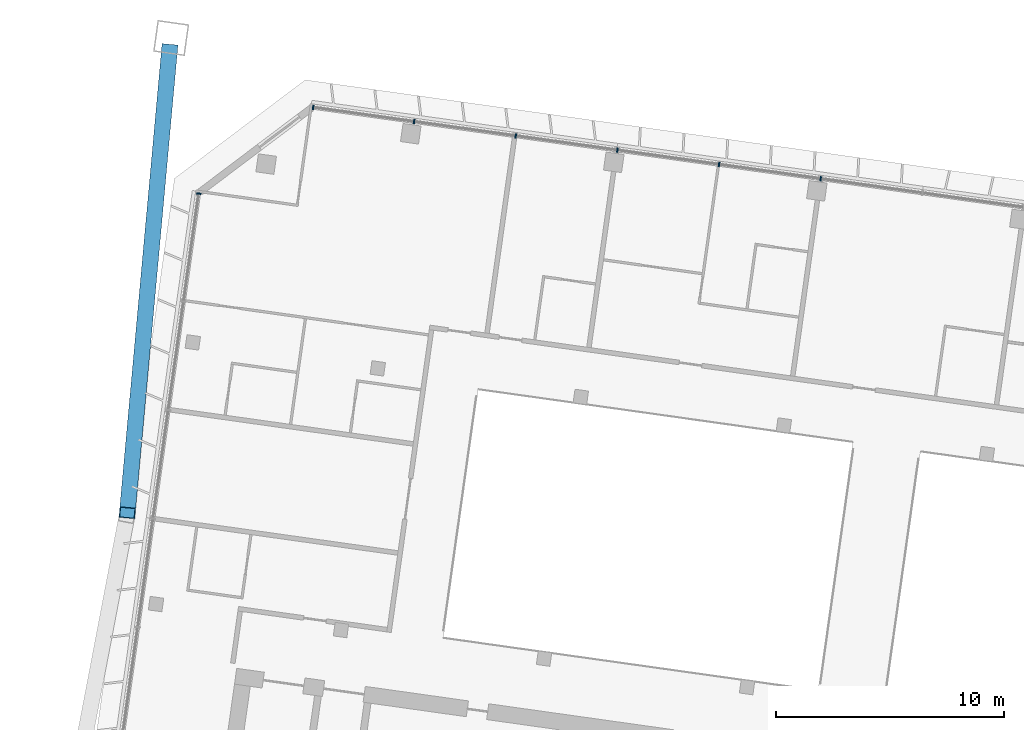
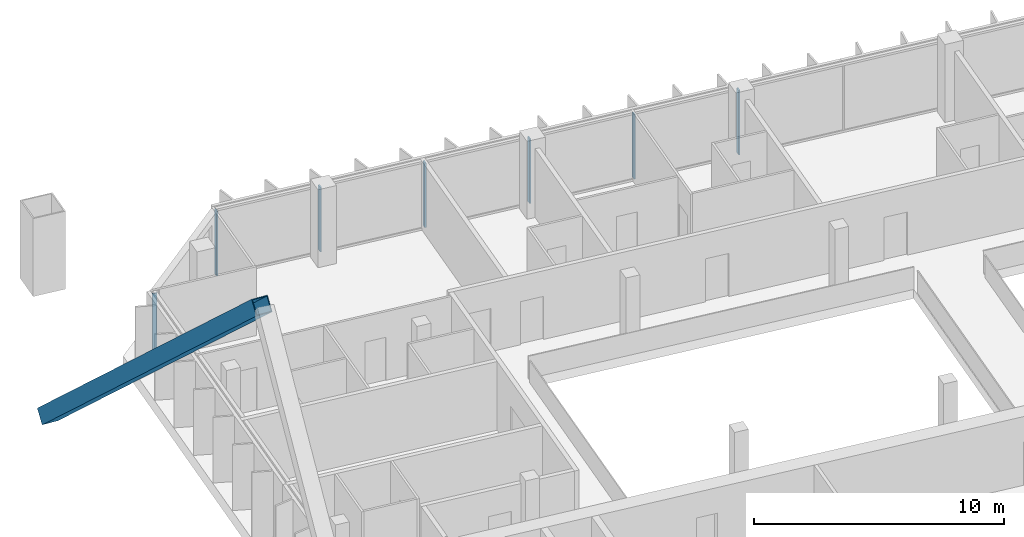
# One storey, part 3 of 28: 8 members, 2 elements without a shape of their own.
"""IFC4 building model written with IfcOpenShell, lengths in metres."""

from ifc_helpers import new_model, si_unit, direction, frame, origin, origin_2d, place, context, subcontext, project, spatial, rectangle, hollow_rectangle, extrude, material, material_profile, profile_set, type_object, element, aggregate, save


model = new_model("IFC4")

# Units and contexts
model_context = context("Model", 3, precision=1e-05, world=origin(), true_north=direction((0.0, 1.0)))
body_context = subcontext(model_context, "Body", "Model", "MODEL_VIEW")
ifc_project = project(units=[si_unit("LENGTHUNIT", "METRE"), si_unit("AREAUNIT", "SQUARE_METRE"), si_unit("VOLUMEUNIT", "CUBIC_METRE"), si_unit("PLANEANGLEUNIT", "RADIAN"), si_unit("MASSUNIT", "GRAM", prefix="KILO")], contexts=[model_context])

# Site, building, storey
site_placement = place(None, origin())
site = spatial("IfcSite", under=ifc_project, at=site_placement, CompositionType="ELEMENT")
building_placement = place(site_placement, origin())
building = spatial("IfcBuilding", under=site, at=building_placement, Name="Mirante Cascada Hotel Towers", CompositionType="ELEMENT")
storey_placement = place(building_placement, frame((0.0, 0.0, 165.0)))
storey = spatial("IfcBuildingStorey", under=building, at=storey_placement, Name="L38", CompositionType="ELEMENT", Elevation=165.0)

# Member
ifc_material_1 = material(Name="Steel ASTM A572 Gr 50", Category="steel")
ifc_material_profile_1 = material_profile(ifc_material_1, hollow_rectangle(XDim=0.7, YDim=0.7, WallThickness=0.035, at=origin_2d()), Name="Box brace 700x700x35 ASTM A572 Gr 50")
ifc_profile_set_1 = profile_set([ifc_material_profile_1], Name="Steel ASTM A572 Gr 50")
member_type_1 = type_object("IfcMemberType", Name="Box brace 700x700x35 ASTM A572 Gr 50", PredefinedType="BRACE", material=ifc_profile_set_1)
member_1_placement = place(storey_placement, frame((-91.5166, 27.3306, -6.0447), z_axis=(-0.0676245, -0.7418038, 0.6671987), x_axis=(0.9958704, -0.0907857, 0.0)))
element("IfcMember", 1, at=member_1_placement, inside=storey, type_object=member_type_1, Name="brace T1 L38 2", PredefinedType="BRACE", context=body_context, shape_type="SweptSolid", body=[
    extrude(hollow_rectangle(XDim=0.7, YDim=0.7, WallThickness=0.035, at=origin_2d()), origin(), (0.0, 0.0, 1.0), 27.4043),
])

# Curtain wall, members
ifc_material_2 = material(Name="Aluminium mullion and transom frame with clear laminated glass", Category="aluminium")
curtain_wall_type_1 = type_object("IfcCurtainWallType", Name="Ribbon curtain wall ECW1", PredefinedType="NOTDEFINED", material=ifc_material_2)
curtain_wall_1_placement = place(storey_placement, origin())
curtain_wall_1 = element("IfcCurtainWall", 2, at=curtain_wall_1_placement, inside=storey, type_object=curtain_wall_type_1, Name="Front ribbon wall T1 L38", PredefinedType="NOTDEFINED")
ifc_material_3 = material(Name="Anodised aluminium extrusion", Category="aluminium")
ifc_material_profile_2 = material_profile(ifc_material_3, rectangle(XDim=0.2, YDim=0.065, at=origin_2d()), Name="ECW1 MULLION 65x200")
ifc_profile_set_2 = profile_set([ifc_material_profile_2], Name="Anodised aluminium extrusion")
member_type_2 = type_object("IfcMemberType", Name="ECW1 mullion 65x200", PredefinedType="MULLION", material=ifc_profile_set_2)
member_2_placement = place(storey_placement, frame((-85.2136, 24.795, 0.1), z_axis=(0.0, 0.0, 1.0), x_axis=(0.1391731, 0.9902681, 0.0)))
member_2 = element("IfcMember", 3, at=member_2_placement, type_object=member_type_2, Name="ECW1 mullion 1", PredefinedType="MULLION", context=body_context, shape_type="SweptSolid", body=[
    extrude(rectangle(XDim=0.2, YDim=0.065, at=origin_2d()), origin(), (0.0, 0.0, 1.0), 3.15),
])
member_3_placement = place(storey_placement, frame((-80.7831, 24.1723, 0.1), z_axis=(0.0, 0.0, 1.0), x_axis=(0.1391731, 0.9902681, 0.0)))
member_3 = element("IfcMember", 4, at=member_3_placement, type_object=member_type_2, Name="ECW1 mullion 2", PredefinedType="MULLION", context=body_context, shape_type="SweptSolid", body=[
    extrude(rectangle(XDim=0.2, YDim=0.065, at=origin_2d()), origin(), (0.0, 0.0, 1.0), 3.15),
])
member_4_placement = place(storey_placement, frame((-76.3204, 23.5452, 0.1), z_axis=(0.0, 0.0, 1.0), x_axis=(0.1391731, 0.9902681, 0.0)))
member_4 = element("IfcMember", 5, at=member_4_placement, type_object=member_type_2, Name="ECW1 mullion 3", PredefinedType="MULLION", context=body_context, shape_type="SweptSolid", body=[
    extrude(rectangle(XDim=0.2, YDim=0.065, at=origin_2d()), origin(), (0.0, 0.0, 1.0), 3.15),
])
member_5_placement = place(storey_placement, frame((-71.8577, 22.918, 0.1), z_axis=(0.0, 0.0, 1.0), x_axis=(0.1391731, 0.9902681, 0.0)))
member_5 = element("IfcMember", 6, at=member_5_placement, type_object=member_type_2, Name="ECW1 mullion 4", PredefinedType="MULLION", context=body_context, shape_type="SweptSolid", body=[
    extrude(rectangle(XDim=0.2, YDim=0.065, at=origin_2d()), origin(), (0.0, 0.0, 1.0), 3.15),
])
member_6_placement = place(storey_placement, frame((-67.395, 22.2908, 0.1), z_axis=(0.0, 0.0, 1.0), x_axis=(0.1391731, 0.9902681, 0.0)))
member_6 = element("IfcMember", 7, at=member_6_placement, type_object=member_type_2, Name="ECW1 mullion 5", PredefinedType="MULLION", context=body_context, shape_type="SweptSolid", body=[
    extrude(rectangle(XDim=0.2, YDim=0.065, at=origin_2d()), origin(), (0.0, 0.0, 1.0), 3.15),
])
member_7_placement = place(storey_placement, frame((-62.9323, 21.6636, 0.1), z_axis=(0.0, 0.0, 1.0), x_axis=(0.1391731, 0.9902681, 0.0)))
member_7 = element("IfcMember", 8, at=member_7_placement, type_object=member_type_2, Name="ECW1 mullion 6", PredefinedType="MULLION", context=body_context, shape_type="SweptSolid", body=[
    extrude(rectangle(XDim=0.2, YDim=0.065, at=origin_2d()), origin(), (0.0, 0.0, 1.0), 3.15),
])
aggregate(curtain_wall_1, [member_2, member_3, member_4, member_5, member_6, member_7])

# Curtain wall, member
ifc_material_4 = material(Name="Aluminium mullion and transom frame with clear laminated glass", Category="aluminium")
curtain_wall_type_2 = type_object("IfcCurtainWallType", Name="End ribbon curtain wall ECW2", PredefinedType="NOTDEFINED", material=ifc_material_4)
curtain_wall_2_placement = place(storey_placement, origin())
curtain_wall_2 = element("IfcCurtainWall", 9, at=curtain_wall_2_placement, inside=storey, type_object=curtain_wall_type_2, Name="Outer end wall T1 L38", PredefinedType="NOTDEFINED")
ifc_material_5 = material(Name="Anodised aluminium extrusion", Category="aluminium")
ifc_material_profile_3 = material_profile(ifc_material_5, rectangle(XDim=0.2, YDim=0.065, at=origin_2d()), Name="ECW2 MULLION 65x200")
ifc_profile_set_3 = profile_set([ifc_material_profile_3], Name="Anodised aluminium extrusion")
member_type_3 = type_object("IfcMemberType", Name="ECW2 mullion 65x200", PredefinedType="MULLION", material=ifc_profile_set_3)
member_8_placement = place(storey_placement, frame((-90.2335, 21.0122, 0.1), z_axis=(0.0, 0.0, 1.0), x_axis=(-0.9902681, 0.1391731, 0.0)))
member_8 = element("IfcMember", 10, at=member_8_placement, type_object=member_type_3, Name="ECW2 mullion 7", PredefinedType="MULLION", context=body_context, shape_type="SweptSolid", body=[
    extrude(rectangle(XDim=0.2, YDim=0.065, at=origin_2d()), origin(), (0.0, 0.0, 1.0), 3.15),
])
aggregate(curtain_wall_2, [member_8])

save(model, "model.ifc")
